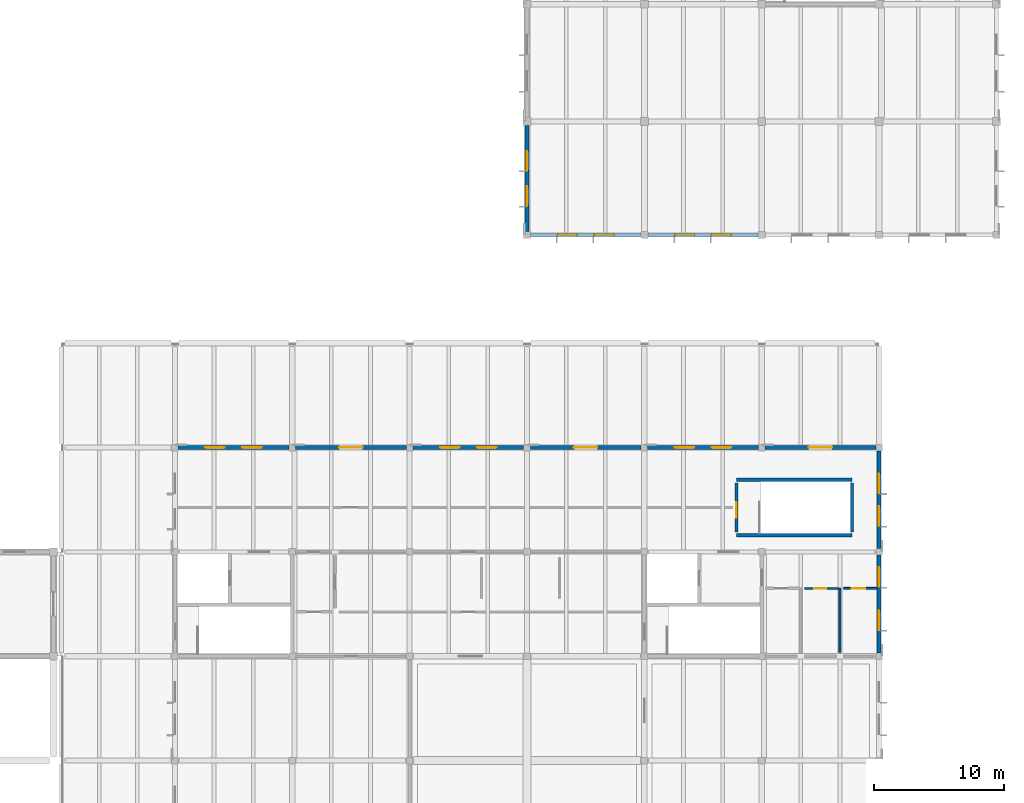
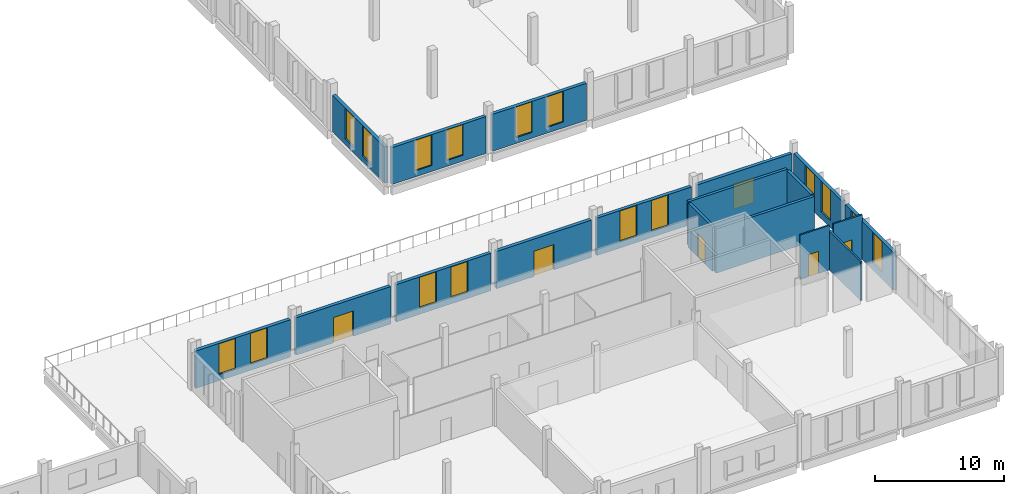
# One storey, part 14 of 25: 18 walls, 16 windows, 6 doors, 22 openings.
"""IFC4 building model written with IfcOpenShell, lengths in metres."""

from ifc_helpers import new_model, si_unit, direction, frame, frame_2d, origin, place, context, subcontext, project, spatial, rectangle, extrude, material, layer, layer_set, type_object, element, fill, save


model = new_model("IFC4")

# Units and contexts
model_context = context("Model", 3, precision=1e-05, world=origin(), true_north=direction((0.0, 1.0)))
body_context = subcontext(model_context, "Body", "Model", "MODEL_VIEW")
ifc_project = project(units=[si_unit("LENGTHUNIT", "METRE"), si_unit("AREAUNIT", "SQUARE_METRE"), si_unit("VOLUMEUNIT", "CUBIC_METRE"), si_unit("PLANEANGLEUNIT", "RADIAN"), si_unit("MASSUNIT", "GRAM", prefix="KILO")], contexts=[model_context])

# Site, building, storey
site_placement = place(None, origin())
site = spatial("IfcSite", under=ifc_project, at=site_placement, CompositionType="ELEMENT")
building_placement = place(site_placement, origin())
building = spatial("IfcBuilding", under=site, at=building_placement, Name="Zacnel Wholesale Market", CompositionType="ELEMENT")
storey_placement = place(building_placement, frame((0.0, 0.0, 15.75)))
storey = spatial("IfcBuildingStorey", under=building, at=storey_placement, Name="L04", CompositionType="ELEMENT", Elevation=15.75)

# Walls
ifc_material_1 = material(Name="Concrete C40/50", Category="concrete")
ifc_layer_1 = layer(ifc_material_1, 0.25)
ifc_layer_set_1 = layer_set([ifc_layer_1], Name="Concrete C40/50")
wall_type_1 = type_object("IfcWallType", Name="WL-CORE-SW250", PredefinedType="SOLIDWALL", material=ifc_layer_set_1)
for number, where, z_axis, x_axis, name in (
    (1, (196.074951171875, 25.27490234375, 0.0), (0.0, 0.0, 1.0), (1.0, 0.0, 0.0), "Stair ST-26 south enclosure wall L04"),
    (2, (196.074951171875, 29.52490234375, 0.0), (0.0, 0.0, 1.0), (1.0, 0.0, 0.0), "Stair ST-26 north enclosure wall L04"),
):
    element("IfcWall", number, at=place(storey_placement, frame(where, z_axis=z_axis, x_axis=x_axis)), inside=storey, type_object=wall_type_1, Name=name, PredefinedType="SOLIDWALL", context=body_context, shape_type="SweptSolid", body=[
        extrude(rectangle(XDim=8.85009765625, YDim=0.25, at=frame_2d((4.425048828125, 0.0))), origin(), (0.0, 0.0, 1.0), 4.199951171875),
    ])

# Wall, opening, door
wall_1_placement = place(storey_placement, frame((196.074951171875, 25.52490234375, 0.0), z_axis=(0.0, 0.0, 1.0), x_axis=(0.0, 1.0, 0.0)))
wall_1 = element("IfcWall", 3, at=wall_1_placement, inside=storey, type_object=wall_type_1, Name="Stair ST-26 west enclosure wall L04", PredefinedType="SOLIDWALL", context=body_context, shape_type="SweptSolid", body=[
    extrude(rectangle(XDim=3.75, YDim=0.25, at=frame_2d((1.875, 0.0))), origin(), (0.0, 0.0, 1.0), 4.199951171875),
])
opening_1_placement = place(wall_1_placement, frame((1.10009765625, 0.0, 0.0)))
opening_1 = element("IfcOpeningElement", 4, at=opening_1_placement, cuts=wall_1, Name="Opening FD-01", PredefinedType="OPENING", context=body_context, shape_type="SweptSolid", body=[
    extrude(rectangle(XDim=1.199951171875, YDim=2.199951171875, at=frame_2d((0.60009765625, 1.10009765625))), frame((0.0, 0.135009765625, 0.0), z_axis=(0.0, -1.0, 0.0), x_axis=(1.0, 0.0, 0.0)), (0.0, 0.0, 1.0), 0.27001953125),
])
ifc_material_2 = material(Name="Galvanized steel", Category="steel")
door_type_1 = type_object("IfcDoorType", Name="DR-FIRE-STAIR-1200", OperationType="NOTDEFINED", PredefinedType="DOOR", material=ifc_material_2)
door_1_placement = place(opening_1_placement, origin())
door_1 = element("IfcDoor", 5, at=door_1_placement, inside=storey, type_object=door_type_1, Name="Stair ST-26 fire door L04", OperationType="SINGLE_SWING_LEFT", OverallHeight=2.199951171875, OverallWidth=1.199951171875, PredefinedType="DOOR", context=body_context, shape_type="SweptSolid", body=[
    extrude(rectangle(XDim=1.199951171875, YDim=2.199951171875, at=frame_2d((0.60009765625, 1.10009765625))), frame((0.0, 0.02490234375, 0.0), z_axis=(0.0, -1.0, 0.0), x_axis=(1.0, 0.0, 0.0)), (0.0, 0.0, 1.0), 0.050048828125),
])
fill(opening_1, door_1)

# Wall
wall_2_placement = place(storey_placement, frame((204.925048828125, 25.52490234375, 0.0), z_axis=(0.0, 0.0, 1.0), x_axis=(0.0, 1.0, 0.0)))
element("IfcWall", 6, at=wall_2_placement, inside=storey, type_object=wall_type_1, Name="Stair ST-26 east enclosure wall L04", PredefinedType="SOLIDWALL", context=body_context, shape_type="SweptSolid", body=[
    extrude(rectangle(XDim=3.75, YDim=0.25, at=frame_2d((1.875, 0.0))), origin(), (0.0, 0.0, 1.0), 4.199951171875),
])

# Wall, openings, windows
ifc_material_3 = material(Name="Precast concrete C40/50 (Cancun limestone aggregate)", Category="masonry")
ifc_layer_2 = layer(ifc_material_3, 0.300048828125)
ifc_layer_set_2 = layer_set([ifc_layer_2], Name="Precast concrete C40/50 (Cancun limestone aggregate)")
wall_type_2 = type_object("IfcWallType", Name="WL-EXT-LIME-300", PredefinedType="SOLIDWALL", material=ifc_layer_set_2)
wall_3_placement = place(storey_placement, frame((153.25, 32.0, 0.0), z_axis=(0.0, 0.0, 1.0), x_axis=(1.0, 0.0, 0.0)))
wall_3 = element("IfcWall", 7, at=wall_3_placement, inside=storey, type_object=wall_type_2, Name="Exterior wall L04-0487", PredefinedType="SOLIDWALL", context=body_context, shape_type="SweptSolid", body=[
    extrude(rectangle(XDim=8.5, YDim=0.300048828125, at=frame_2d((4.25, 0.0))), origin(), (0.0, 0.0, 1.0), 3.550048828125),
])
opening_2_placement = place(wall_3_placement, frame((2.0830078125, 0.0, 0.610107421875)))
opening_2 = element("IfcOpeningElement", 8, at=opening_2_placement, cuts=wall_3, Name="Opening W-04", PredefinedType="OPENING", context=body_context, shape_type="SweptSolid", body=[
    extrude(rectangle(XDim=1.5, YDim=2.89990234375, at=frame_2d((0.75, 1.449951171875))), frame((0.0, 0.159912109375, 0.0), z_axis=(0.0, -1.0, 0.0), x_axis=(1.0, 0.0, 0.0)), (0.0, 0.0, 1.0), 0.320068359375),
])
opening_3_placement = place(wall_3_placement, frame((4.9169921875, 0.0, 0.610107421875)))
opening_3 = element("IfcOpeningElement", 9, at=opening_3_placement, cuts=wall_3, Name="Opening W-04", PredefinedType="OPENING", context=body_context, shape_type="SweptSolid", body=[
    extrude(rectangle(XDim=1.5, YDim=2.89990234375, at=frame_2d((0.75, 1.449951171875))), frame((0.0, 0.159912109375, 0.0), z_axis=(0.0, -1.0, 0.0), x_axis=(1.0, 0.0, 0.0)), (0.0, 0.0, 1.0), 0.320068359375),
])
ifc_material_4 = material(Name="Laminated hurricane-impact low-E insulated glass", Category="glass")
window_type = type_object("IfcWindowType", Name="WIN-DEC-1500X2900", PartitioningType="DOUBLE_PANEL_VERTICAL", PredefinedType="WINDOW", material=ifc_material_4)
window_1_placement = place(opening_2_placement, origin())
window_1 = element("IfcWindow", 10, at=window_1_placement, inside=storey, type_object=window_type, Name="Window L04-0520", OverallHeight=2.89990234375, OverallWidth=1.5, PartitioningType="DOUBLE_PANEL_VERTICAL", PredefinedType="WINDOW", context=body_context, shape_type="SweptSolid", body=[
    extrude(rectangle(XDim=1.5, YDim=2.89990234375, at=frame_2d((0.75, 1.449951171875))), frame((0.0, 0.030029296875, 0.0), z_axis=(0.0, -1.0, 0.0), x_axis=(1.0, 0.0, 0.0)), (0.0, 0.0, 1.0), 0.06005859375),
])
fill(opening_2, window_1)
window_2_placement = place(opening_3_placement, origin())
window_2 = element("IfcWindow", 11, at=window_2_placement, inside=storey, type_object=window_type, Name="Window L04-0521", OverallHeight=2.89990234375, OverallWidth=1.5, PartitioningType="DOUBLE_PANEL_VERTICAL", PredefinedType="WINDOW", context=body_context, shape_type="SweptSolid", body=[
    extrude(rectangle(XDim=1.5, YDim=2.89990234375, at=frame_2d((0.75, 1.449951171875))), frame((0.0, 0.030029296875, 0.0), z_axis=(0.0, -1.0, 0.0), x_axis=(1.0, 0.0, 0.0)), (0.0, 0.0, 1.0), 0.06005859375),
])
fill(opening_3, window_2)

# Wall, opening, door
wall_4_placement = place(storey_placement, frame((162.25, 32.0, 0.0), z_axis=(0.0, 0.0, 1.0), x_axis=(1.0, 0.0, 0.0)))
wall_4 = element("IfcWall", 12, at=wall_4_placement, inside=storey, type_object=wall_type_2, Name="Exterior wall L04-0488", PredefinedType="SOLIDWALL", context=body_context, shape_type="SweptSolid", body=[
    extrude(rectangle(XDim=8.5, YDim=0.300048828125, at=frame_2d((4.25, 0.0))), origin(), (0.0, 0.0, 1.0), 3.550048828125),
])
opening_4_placement = place(wall_4_placement, frame((3.35009765625, 0.0, 0.0)))
opening_4 = element("IfcOpeningElement", 13, at=opening_4_placement, cuts=wall_4, Name="Opening ED-03", PredefinedType="OPENING", context=body_context, shape_type="SweptSolid", body=[
    extrude(rectangle(XDim=1.800048828125, YDim=2.39990234375, at=frame_2d((0.89990234375, 1.199951171875))), frame((0.0, 0.159912109375, 0.0), z_axis=(0.0, -1.0, 0.0), x_axis=(1.0, 0.0, 0.0)), (0.0, 0.0, 1.0), 0.320068359375),
])
ifc_material_5 = material(Name="Anodised aluminium", Category="aluminium")
door_type_2 = type_object("IfcDoorType", Name="DR-EXT-TERR-1800", OperationType="NOTDEFINED", PredefinedType="DOOR", material=ifc_material_5)
door_2_placement = place(opening_4_placement, origin())
door_2 = element("IfcDoor", 14, at=door_2_placement, inside=storey, type_object=door_type_2, Name="Terrace access door L04-060", OperationType="DOUBLE_DOOR_SINGLE_SWING", OverallHeight=2.39990234375, OverallWidth=1.800048828125, PredefinedType="DOOR", context=body_context, shape_type="SweptSolid", body=[
    extrude(rectangle(XDim=1.800048828125, YDim=2.39990234375, at=frame_2d((0.89990234375, 1.199951171875))), frame((0.0, 0.02490234375, 0.0), z_axis=(0.0, -1.0, 0.0), x_axis=(1.0, 0.0, 0.0)), (0.0, 0.0, 1.0), 0.050048828125),
])
fill(opening_4, door_2)

# Wall, openings, windows
wall_5_placement = place(storey_placement, frame((171.25, 32.0, 0.0), z_axis=(0.0, 0.0, 1.0), x_axis=(1.0, 0.0, 0.0)))
wall_5 = element("IfcWall", 15, at=wall_5_placement, inside=storey, type_object=wall_type_2, Name="Exterior wall L04-0489", PredefinedType="SOLIDWALL", context=body_context, shape_type="SweptSolid", body=[
    extrude(rectangle(XDim=8.5, YDim=0.300048828125, at=frame_2d((4.25, 0.0))), origin(), (0.0, 0.0, 1.0), 3.550048828125),
])
opening_5_placement = place(wall_5_placement, frame((2.0830078125, 0.0, 0.610107421875)))
opening_5 = element("IfcOpeningElement", 16, at=opening_5_placement, cuts=wall_5, Name="Opening W-04", PredefinedType="OPENING", context=body_context, shape_type="SweptSolid", body=[
    extrude(rectangle(XDim=1.5, YDim=2.89990234375, at=frame_2d((0.75, 1.449951171875))), frame((0.0, 0.159912109375, 0.0), z_axis=(0.0, -1.0, 0.0), x_axis=(1.0, 0.0, 0.0)), (0.0, 0.0, 1.0), 0.320068359375),
])
opening_6_placement = place(wall_5_placement, frame((4.9169921875, 0.0, 0.610107421875)))
opening_6 = element("IfcOpeningElement", 17, at=opening_6_placement, cuts=wall_5, Name="Opening W-04", PredefinedType="OPENING", context=body_context, shape_type="SweptSolid", body=[
    extrude(rectangle(XDim=1.5, YDim=2.89990234375, at=frame_2d((0.75, 1.449951171875))), frame((0.0, 0.159912109375, 0.0), z_axis=(0.0, -1.0, 0.0), x_axis=(1.0, 0.0, 0.0)), (0.0, 0.0, 1.0), 0.320068359375),
])
window_3_placement = place(opening_5_placement, origin())
window_3 = element("IfcWindow", 18, at=window_3_placement, inside=storey, type_object=window_type, Name="Window L04-0522", OverallHeight=2.89990234375, OverallWidth=1.5, PartitioningType="DOUBLE_PANEL_VERTICAL", PredefinedType="WINDOW", context=body_context, shape_type="SweptSolid", body=[
    extrude(rectangle(XDim=1.5, YDim=2.89990234375, at=frame_2d((0.75, 1.449951171875))), frame((0.0, 0.030029296875, 0.0), z_axis=(0.0, -1.0, 0.0), x_axis=(1.0, 0.0, 0.0)), (0.0, 0.0, 1.0), 0.06005859375),
])
fill(opening_5, window_3)
window_4_placement = place(opening_6_placement, origin())
window_4 = element("IfcWindow", 19, at=window_4_placement, inside=storey, type_object=window_type, Name="Window L04-0523", OverallHeight=2.89990234375, OverallWidth=1.5, PartitioningType="DOUBLE_PANEL_VERTICAL", PredefinedType="WINDOW", context=body_context, shape_type="SweptSolid", body=[
    extrude(rectangle(XDim=1.5, YDim=2.89990234375, at=frame_2d((0.75, 1.449951171875))), frame((0.0, 0.030029296875, 0.0), z_axis=(0.0, -1.0, 0.0), x_axis=(1.0, 0.0, 0.0)), (0.0, 0.0, 1.0), 0.06005859375),
])
fill(opening_6, window_4)

# Wall, opening, door
wall_6_placement = place(storey_placement, frame((180.25, 32.0, 0.0), z_axis=(0.0, 0.0, 1.0), x_axis=(1.0, 0.0, 0.0)))
wall_6 = element("IfcWall", 20, at=wall_6_placement, inside=storey, type_object=wall_type_2, Name="Exterior wall L04-0490", PredefinedType="SOLIDWALL", context=body_context, shape_type="SweptSolid", body=[
    extrude(rectangle(XDim=8.5, YDim=0.300048828125, at=frame_2d((4.25, 0.0))), origin(), (0.0, 0.0, 1.0), 3.550048828125),
])
opening_7_placement = place(wall_6_placement, frame((3.35009765625, 0.0, 0.0)))
opening_7 = element("IfcOpeningElement", 21, at=opening_7_placement, cuts=wall_6, Name="Opening ED-03", PredefinedType="OPENING", context=body_context, shape_type="SweptSolid", body=[
    extrude(rectangle(XDim=1.800048828125, YDim=2.39990234375, at=frame_2d((0.89990234375, 1.199951171875))), frame((0.0, 0.159912109375, 0.0), z_axis=(0.0, -1.0, 0.0), x_axis=(1.0, 0.0, 0.0)), (0.0, 0.0, 1.0), 0.320068359375),
])
door_3_placement = place(opening_7_placement, origin())
door_3 = element("IfcDoor", 22, at=door_3_placement, inside=storey, type_object=door_type_2, Name="Terrace access door L04-061", OperationType="DOUBLE_DOOR_SINGLE_SWING", OverallHeight=2.39990234375, OverallWidth=1.800048828125, PredefinedType="DOOR", context=body_context, shape_type="SweptSolid", body=[
    extrude(rectangle(XDim=1.800048828125, YDim=2.39990234375, at=frame_2d((0.89990234375, 1.199951171875))), frame((0.0, 0.02490234375, 0.0), z_axis=(0.0, -1.0, 0.0), x_axis=(1.0, 0.0, 0.0)), (0.0, 0.0, 1.0), 0.050048828125),
])
fill(opening_7, door_3)

# Wall, openings, windows
wall_7_placement = place(storey_placement, frame((189.25, 32.0, 0.0), z_axis=(0.0, 0.0, 1.0), x_axis=(1.0, 0.0, 0.0)))
wall_7 = element("IfcWall", 23, at=wall_7_placement, inside=storey, type_object=wall_type_2, Name="Exterior wall L04-0491", PredefinedType="SOLIDWALL", context=body_context, shape_type="SweptSolid", body=[
    extrude(rectangle(XDim=8.5, YDim=0.300048828125, at=frame_2d((4.25, 0.0))), origin(), (0.0, 0.0, 1.0), 3.550048828125),
])
opening_8_placement = place(wall_7_placement, frame((2.0830078125, 0.0, 0.610107421875)))
opening_8 = element("IfcOpeningElement", 24, at=opening_8_placement, cuts=wall_7, Name="Opening W-04", PredefinedType="OPENING", context=body_context, shape_type="SweptSolid", body=[
    extrude(rectangle(XDim=1.5, YDim=2.89990234375, at=frame_2d((0.75, 1.449951171875))), frame((0.0, 0.159912109375, 0.0), z_axis=(0.0, -1.0, 0.0), x_axis=(1.0, 0.0, 0.0)), (0.0, 0.0, 1.0), 0.320068359375),
])
opening_9_placement = place(wall_7_placement, frame((4.9169921875, 0.0, 0.610107421875)))
opening_9 = element("IfcOpeningElement", 25, at=opening_9_placement, cuts=wall_7, Name="Opening W-04", PredefinedType="OPENING", context=body_context, shape_type="SweptSolid", body=[
    extrude(rectangle(XDim=1.5, YDim=2.89990234375, at=frame_2d((0.75, 1.449951171875))), frame((0.0, 0.159912109375, 0.0), z_axis=(0.0, -1.0, 0.0), x_axis=(1.0, 0.0, 0.0)), (0.0, 0.0, 1.0), 0.320068359375),
])
window_5_placement = place(opening_8_placement, origin())
window_5 = element("IfcWindow", 26, at=window_5_placement, inside=storey, type_object=window_type, Name="Window L04-0524", OverallHeight=2.89990234375, OverallWidth=1.5, PartitioningType="DOUBLE_PANEL_VERTICAL", PredefinedType="WINDOW", context=body_context, shape_type="SweptSolid", body=[
    extrude(rectangle(XDim=1.5, YDim=2.89990234375, at=frame_2d((0.75, 1.449951171875))), frame((0.0, 0.030029296875, 0.0), z_axis=(0.0, -1.0, 0.0), x_axis=(1.0, 0.0, 0.0)), (0.0, 0.0, 1.0), 0.06005859375),
])
fill(opening_8, window_5)
window_6_placement = place(opening_9_placement, origin())
window_6 = element("IfcWindow", 27, at=window_6_placement, inside=storey, type_object=window_type, Name="Window L04-0525", OverallHeight=2.89990234375, OverallWidth=1.5, PartitioningType="DOUBLE_PANEL_VERTICAL", PredefinedType="WINDOW", context=body_context, shape_type="SweptSolid", body=[
    extrude(rectangle(XDim=1.5, YDim=2.89990234375, at=frame_2d((0.75, 1.449951171875))), frame((0.0, 0.030029296875, 0.0), z_axis=(0.0, -1.0, 0.0), x_axis=(1.0, 0.0, 0.0)), (0.0, 0.0, 1.0), 0.06005859375),
])
fill(opening_9, window_6)

# Wall, opening, door
wall_8_placement = place(storey_placement, frame((198.25, 32.0, 0.0), z_axis=(0.0, 0.0, 1.0), x_axis=(1.0, 0.0, 0.0)))
wall_8 = element("IfcWall", 28, at=wall_8_placement, inside=storey, type_object=wall_type_2, Name="Exterior wall L04-0492", PredefinedType="SOLIDWALL", context=body_context, shape_type="SweptSolid", body=[
    extrude(rectangle(XDim=8.5, YDim=0.300048828125, at=frame_2d((4.25, 0.0))), origin(), (0.0, 0.0, 1.0), 3.550048828125),
])
opening_10_placement = place(wall_8_placement, frame((3.35009765625, 0.0, 0.0)))
opening_10 = element("IfcOpeningElement", 29, at=opening_10_placement, cuts=wall_8, Name="Opening ED-03", PredefinedType="OPENING", context=body_context, shape_type="SweptSolid", body=[
    extrude(rectangle(XDim=1.800048828125, YDim=2.39990234375, at=frame_2d((0.89990234375, 1.199951171875))), frame((0.0, 0.159912109375, 0.0), z_axis=(0.0, -1.0, 0.0), x_axis=(1.0, 0.0, 0.0)), (0.0, 0.0, 1.0), 0.320068359375),
])
door_4_placement = place(opening_10_placement, origin())
door_4 = element("IfcDoor", 30, at=door_4_placement, inside=storey, type_object=door_type_2, Name="Terrace access door L04-062", OperationType="DOUBLE_DOOR_SINGLE_SWING", OverallHeight=2.39990234375, OverallWidth=1.800048828125, PredefinedType="DOOR", context=body_context, shape_type="SweptSolid", body=[
    extrude(rectangle(XDim=1.800048828125, YDim=2.39990234375, at=frame_2d((0.89990234375, 1.199951171875))), frame((0.0, 0.02490234375, 0.0), z_axis=(0.0, -1.0, 0.0), x_axis=(1.0, 0.0, 0.0)), (0.0, 0.0, 1.0), 0.050048828125),
])
fill(opening_10, door_4)

# Wall, openings, windows
wall_9_placement = place(storey_placement, frame((207.0, 16.25, 0.0), z_axis=(0.0, 0.0, 1.0), x_axis=(0.0, 1.0, 0.0)))
wall_9 = element("IfcWall", 31, at=wall_9_placement, inside=storey, type_object=wall_type_2, Name="Exterior wall L04-0498", PredefinedType="SOLIDWALL", context=body_context, shape_type="SweptSolid", body=[
    extrude(rectangle(XDim=7.5, YDim=0.300048828125, at=frame_2d((3.75, 0.0))), origin(), (0.0, 0.0, 1.0), 3.60009765625),
])
opening_11_placement = place(wall_9_placement, frame((1.75, 0.0, 0.659912109375)))
opening_11 = element("IfcOpeningElement", 32, at=opening_11_placement, cuts=wall_9, Name="Opening W-04", PredefinedType="OPENING", context=body_context, shape_type="SweptSolid", body=[
    extrude(rectangle(XDim=1.5, YDim=2.89990234375, at=frame_2d((0.75, 1.449951171875))), frame((0.0, 0.159912109375, 0.0), z_axis=(0.0, -1.0, 0.0), x_axis=(1.0, 0.0, 0.0)), (0.0, 0.0, 1.0), 0.320068359375),
])
opening_12_placement = place(wall_9_placement, frame((5.074951171875, 0.0, 0.659912109375)))
opening_12 = element("IfcOpeningElement", 33, at=opening_12_placement, cuts=wall_9, Name="Opening W-04", PredefinedType="OPENING", context=body_context, shape_type="SweptSolid", body=[
    extrude(rectangle(XDim=1.5, YDim=2.89990234375, at=frame_2d((0.75, 1.449951171875))), frame((0.0, 0.159912109375, 0.0), z_axis=(0.0, -1.0, 0.0), x_axis=(1.0, 0.0, 0.0)), (0.0, 0.0, 1.0), 0.320068359375),
])
window_7_placement = place(opening_11_placement, origin())
window_7 = element("IfcWindow", 34, at=window_7_placement, inside=storey, type_object=window_type, Name="Window L04-0536", OverallHeight=2.89990234375, OverallWidth=1.5, PartitioningType="DOUBLE_PANEL_VERTICAL", PredefinedType="WINDOW", context=body_context, shape_type="SweptSolid", body=[
    extrude(rectangle(XDim=1.5, YDim=2.89990234375, at=frame_2d((0.75, 1.449951171875))), frame((0.0, 0.030029296875, 0.0), z_axis=(0.0, -1.0, 0.0), x_axis=(1.0, 0.0, 0.0)), (0.0, 0.0, 1.0), 0.06005859375),
])
fill(opening_11, window_7)
window_8_placement = place(opening_12_placement, origin())
window_8 = element("IfcWindow", 35, at=window_8_placement, inside=storey, type_object=window_type, Name="Window L04-0537", OverallHeight=2.89990234375, OverallWidth=1.5, PartitioningType="DOUBLE_PANEL_VERTICAL", PredefinedType="WINDOW", context=body_context, shape_type="SweptSolid", body=[
    extrude(rectangle(XDim=1.5, YDim=2.89990234375, at=frame_2d((0.75, 1.449951171875))), frame((0.0, 0.030029296875, 0.0), z_axis=(0.0, -1.0, 0.0), x_axis=(1.0, 0.0, 0.0)), (0.0, 0.0, 1.0), 0.06005859375),
])
fill(opening_12, window_8)

wall_10_placement = place(storey_placement, frame((207.0, 24.25, 0.0), z_axis=(0.0, 0.0, 1.0), x_axis=(0.0, 1.0, 0.0)))
wall_10 = element("IfcWall", 36, at=wall_10_placement, inside=storey, type_object=wall_type_2, Name="Exterior wall L04-0499", PredefinedType="SOLIDWALL", context=body_context, shape_type="SweptSolid", body=[
    extrude(rectangle(XDim=7.5, YDim=0.300048828125, at=frame_2d((3.75, 0.0))), origin(), (0.0, 0.0, 1.0), 3.60009765625),
])
opening_13_placement = place(wall_10_placement, frame((1.75, 0.0, 0.659912109375)))
opening_13 = element("IfcOpeningElement", 37, at=opening_13_placement, cuts=wall_10, Name="Opening W-04", PredefinedType="OPENING", context=body_context, shape_type="SweptSolid", body=[
    extrude(rectangle(XDim=1.5, YDim=2.89990234375, at=frame_2d((0.75, 1.449951171875))), frame((0.0, 0.159912109375, 0.0), z_axis=(0.0, -1.0, 0.0), x_axis=(1.0, 0.0, 0.0)), (0.0, 0.0, 1.0), 0.320068359375),
])
opening_14_placement = place(wall_10_placement, frame((4.25, 0.0, 0.659912109375)))
opening_14 = element("IfcOpeningElement", 38, at=opening_14_placement, cuts=wall_10, Name="Opening W-04", PredefinedType="OPENING", context=body_context, shape_type="SweptSolid", body=[
    extrude(rectangle(XDim=1.5, YDim=2.89990234375, at=frame_2d((0.75, 1.449951171875))), frame((0.0, 0.159912109375, 0.0), z_axis=(0.0, -1.0, 0.0), x_axis=(1.0, 0.0, 0.0)), (0.0, 0.0, 1.0), 0.320068359375),
])
window_9_placement = place(opening_13_placement, origin())
window_9 = element("IfcWindow", 39, at=window_9_placement, inside=storey, type_object=window_type, Name="Window L04-0538", OverallHeight=2.89990234375, OverallWidth=1.5, PartitioningType="DOUBLE_PANEL_VERTICAL", PredefinedType="WINDOW", context=body_context, shape_type="SweptSolid", body=[
    extrude(rectangle(XDim=1.5, YDim=2.89990234375, at=frame_2d((0.75, 1.449951171875))), frame((0.0, 0.030029296875, 0.0), z_axis=(0.0, -1.0, 0.0), x_axis=(1.0, 0.0, 0.0)), (0.0, 0.0, 1.0), 0.06005859375),
])
fill(opening_13, window_9)
window_10_placement = place(opening_14_placement, origin())
window_10 = element("IfcWindow", 40, at=window_10_placement, inside=storey, type_object=window_type, Name="Window L04-0539", OverallHeight=2.89990234375, OverallWidth=1.5, PartitioningType="DOUBLE_PANEL_VERTICAL", PredefinedType="WINDOW", context=body_context, shape_type="SweptSolid", body=[
    extrude(rectangle(XDim=1.5, YDim=2.89990234375, at=frame_2d((0.75, 1.449951171875))), frame((0.0, 0.030029296875, 0.0), z_axis=(0.0, -1.0, 0.0), x_axis=(1.0, 0.0, 0.0)), (0.0, 0.0, 1.0), 0.06005859375),
])
fill(opening_14, window_10)

wall_11_placement = place(storey_placement, frame((180.27490234375, 48.300048828125, 0.0), z_axis=(0.0, 0.0, 1.0), x_axis=(1.0, 0.0, 0.0)))
wall_11 = element("IfcWall", 41, at=wall_11_placement, inside=storey, type_object=wall_type_2, Name="Exterior wall L04-0500", PredefinedType="SOLIDWALL", context=body_context, shape_type="SweptSolid", body=[
    extrude(rectangle(XDim=8.4501953125, YDim=0.300048828125, at=frame_2d((4.22509765625, 0.0))), origin(), (0.0, 0.0, 1.0), 3.5),
])
opening_15_placement = place(wall_11_placement, frame((2.06689453125, 0.0, 0.56005859375)))
opening_15 = element("IfcOpeningElement", 42, at=opening_15_placement, cuts=wall_11, Name="Opening W-04", PredefinedType="OPENING", context=body_context, shape_type="SweptSolid", body=[
    extrude(rectangle(XDim=1.5, YDim=2.89990234375, at=frame_2d((0.75, 1.449951171875))), frame((0.0, 0.159912109375, 0.0), z_axis=(0.0, -1.0, 0.0), x_axis=(1.0, 0.0, 0.0)), (0.0, 0.0, 1.0), 0.320068359375),
])
opening_16_placement = place(wall_11_placement, frame((4.883056640625, 0.0, 0.56005859375)))
opening_16 = element("IfcOpeningElement", 43, at=opening_16_placement, cuts=wall_11, Name="Opening W-04", PredefinedType="OPENING", context=body_context, shape_type="SweptSolid", body=[
    extrude(rectangle(XDim=1.5, YDim=2.89990234375, at=frame_2d((0.75, 1.449951171875))), frame((0.0, 0.159912109375, 0.0), z_axis=(0.0, -1.0, 0.0), x_axis=(1.0, 0.0, 0.0)), (0.0, 0.0, 1.0), 0.320068359375),
])
window_11_placement = place(opening_15_placement, origin())
window_11 = element("IfcWindow", 44, at=window_11_placement, inside=storey, type_object=window_type, Name="Window L04-0540", OverallHeight=2.89990234375, OverallWidth=1.5, PartitioningType="DOUBLE_PANEL_VERTICAL", PredefinedType="WINDOW", context=body_context, shape_type="SweptSolid", body=[
    extrude(rectangle(XDim=1.5, YDim=2.89990234375, at=frame_2d((0.75, 1.449951171875))), frame((0.0, 0.030029296875, 0.0), z_axis=(0.0, -1.0, 0.0), x_axis=(1.0, 0.0, 0.0)), (0.0, 0.0, 1.0), 0.06005859375),
])
fill(opening_15, window_11)
window_12_placement = place(opening_16_placement, origin())
window_12 = element("IfcWindow", 45, at=window_12_placement, inside=storey, type_object=window_type, Name="Window L04-0541", OverallHeight=2.89990234375, OverallWidth=1.5, PartitioningType="DOUBLE_PANEL_VERTICAL", PredefinedType="WINDOW", context=body_context, shape_type="SweptSolid", body=[
    extrude(rectangle(XDim=1.5, YDim=2.89990234375, at=frame_2d((0.75, 1.449951171875))), frame((0.0, 0.030029296875, 0.0), z_axis=(0.0, -1.0, 0.0), x_axis=(1.0, 0.0, 0.0)), (0.0, 0.0, 1.0), 0.06005859375),
])
fill(opening_16, window_12)

wall_12_placement = place(storey_placement, frame((189.27490234375, 48.300048828125, 0.0), z_axis=(0.0, 0.0, 1.0), x_axis=(1.0, 0.0, 0.0)))
wall_12 = element("IfcWall", 46, at=wall_12_placement, inside=storey, type_object=wall_type_2, Name="Exterior wall L04-0501", PredefinedType="SOLIDWALL", context=body_context, shape_type="SweptSolid", body=[
    extrude(rectangle(XDim=8.4501953125, YDim=0.300048828125, at=frame_2d((4.22509765625, 0.0))), origin(), (0.0, 0.0, 1.0), 3.5),
])
opening_17_placement = place(wall_12_placement, frame((2.06689453125, 0.0, 0.56005859375)))
opening_17 = element("IfcOpeningElement", 47, at=opening_17_placement, cuts=wall_12, Name="Opening W-04", PredefinedType="OPENING", context=body_context, shape_type="SweptSolid", body=[
    extrude(rectangle(XDim=1.5, YDim=2.89990234375, at=frame_2d((0.75, 1.449951171875))), frame((0.0, 0.159912109375, 0.0), z_axis=(0.0, -1.0, 0.0), x_axis=(1.0, 0.0, 0.0)), (0.0, 0.0, 1.0), 0.320068359375),
])
opening_18_placement = place(wall_12_placement, frame((4.883056640625, 0.0, 0.56005859375)))
opening_18 = element("IfcOpeningElement", 48, at=opening_18_placement, cuts=wall_12, Name="Opening W-04", PredefinedType="OPENING", context=body_context, shape_type="SweptSolid", body=[
    extrude(rectangle(XDim=1.5, YDim=2.89990234375, at=frame_2d((0.75, 1.449951171875))), frame((0.0, 0.159912109375, 0.0), z_axis=(0.0, -1.0, 0.0), x_axis=(1.0, 0.0, 0.0)), (0.0, 0.0, 1.0), 0.320068359375),
])
window_13_placement = place(opening_17_placement, origin())
window_13 = element("IfcWindow", 49, at=window_13_placement, inside=storey, type_object=window_type, Name="Window L04-0542", OverallHeight=2.89990234375, OverallWidth=1.5, PartitioningType="DOUBLE_PANEL_VERTICAL", PredefinedType="WINDOW", context=body_context, shape_type="SweptSolid", body=[
    extrude(rectangle(XDim=1.5, YDim=2.89990234375, at=frame_2d((0.75, 1.449951171875))), frame((0.0, 0.030029296875, 0.0), z_axis=(0.0, -1.0, 0.0), x_axis=(1.0, 0.0, 0.0)), (0.0, 0.0, 1.0), 0.06005859375),
])
fill(opening_17, window_13)
window_14_placement = place(opening_18_placement, origin())
window_14 = element("IfcWindow", 50, at=window_14_placement, inside=storey, type_object=window_type, Name="Window L04-0543", OverallHeight=2.89990234375, OverallWidth=1.5, PartitioningType="DOUBLE_PANEL_VERTICAL", PredefinedType="WINDOW", context=body_context, shape_type="SweptSolid", body=[
    extrude(rectangle(XDim=1.5, YDim=2.89990234375, at=frame_2d((0.75, 1.449951171875))), frame((0.0, 0.030029296875, 0.0), z_axis=(0.0, -1.0, 0.0), x_axis=(1.0, 0.0, 0.0)), (0.0, 0.0, 1.0), 0.06005859375),
])
fill(opening_18, window_14)

wall_13_placement = place(storey_placement, frame((180.0, 48.574951171875, 0.0), z_axis=(0.0, 0.0, 1.0), x_axis=(0.0, 1.0, 0.0)))
wall_13 = element("IfcWall", 51, at=wall_13_placement, inside=storey, type_object=wall_type_2, Name="Exterior wall L04-0508", PredefinedType="SOLIDWALL", context=body_context, shape_type="SweptSolid", body=[
    extrude(rectangle(XDim=8.125, YDim=0.300048828125, at=frame_2d((4.0625, 0.0))), origin(), (0.0, 0.0, 1.0), 3.449951171875),
])
opening_19_placement = place(wall_13_placement, frame((1.9580078125, 0.0, 0.510009765625)))
opening_19 = element("IfcOpeningElement", 52, at=opening_19_placement, cuts=wall_13, Name="Opening W-04", PredefinedType="OPENING", context=body_context, shape_type="SweptSolid", body=[
    extrude(rectangle(XDim=1.5, YDim=2.89990234375, at=frame_2d((0.75, 1.449951171875))), frame((0.0, 0.159912109375, 0.0), z_axis=(0.0, -1.0, 0.0), x_axis=(1.0, 0.0, 0.0)), (0.0, 0.0, 1.0), 0.320068359375),
])
opening_20_placement = place(wall_13_placement, frame((4.6669921875, 0.0, 0.510009765625)))
opening_20 = element("IfcOpeningElement", 53, at=opening_20_placement, cuts=wall_13, Name="Opening W-04", PredefinedType="OPENING", context=body_context, shape_type="SweptSolid", body=[
    extrude(rectangle(XDim=1.5, YDim=2.89990234375, at=frame_2d((0.75, 1.449951171875))), frame((0.0, 0.159912109375, 0.0), z_axis=(0.0, -1.0, 0.0), x_axis=(1.0, 0.0, 0.0)), (0.0, 0.0, 1.0), 0.320068359375),
])
window_15_placement = place(opening_19_placement, origin())
window_15 = element("IfcWindow", 54, at=window_15_placement, inside=storey, type_object=window_type, Name="Window L04-0556", OverallHeight=2.89990234375, OverallWidth=1.5, PartitioningType="DOUBLE_PANEL_VERTICAL", PredefinedType="WINDOW", context=body_context, shape_type="SweptSolid", body=[
    extrude(rectangle(XDim=1.5, YDim=2.89990234375, at=frame_2d((0.75, 1.449951171875))), frame((0.0, 0.030029296875, 0.0), z_axis=(0.0, -1.0, 0.0), x_axis=(1.0, 0.0, 0.0)), (0.0, 0.0, 1.0), 0.06005859375),
])
fill(opening_19, window_15)
window_16_placement = place(opening_20_placement, origin())
window_16 = element("IfcWindow", 55, at=window_16_placement, inside=storey, type_object=window_type, Name="Window L04-0557", OverallHeight=2.89990234375, OverallWidth=1.5, PartitioningType="DOUBLE_PANEL_VERTICAL", PredefinedType="WINDOW", context=body_context, shape_type="SweptSolid", body=[
    extrude(rectangle(XDim=1.5, YDim=2.89990234375, at=frame_2d((0.75, 1.449951171875))), frame((0.0, 0.030029296875, 0.0), z_axis=(0.0, -1.0, 0.0), x_axis=(1.0, 0.0, 0.0)), (0.0, 0.0, 1.0), 0.06005859375),
])
fill(opening_20, window_16)

# Wall, opening, door
ifc_material_6 = material(Name="Concrete blockwork masonry", Category="masonry")
ifc_layer_3 = layer(ifc_material_6, 0.135009765625)
ifc_layer_set_3 = layer_set([ifc_layer_3], Name="Concrete blockwork masonry")
wall_type_3 = type_object("IfcWallType", Name="WL-PART-MAS135", PredefinedType="PARTITIONING", material=ifc_layer_set_3)
wall_14_placement = place(storey_placement, frame((201.300048828125, 21.199951171875, 0.0), z_axis=(0.0, 0.0, 1.0), x_axis=(1.0, 0.0, 0.0)))
wall_14 = element("IfcWall", 56, at=wall_14_placement, inside=storey, type_object=wall_type_3, Name="Interior partition L04-0224", PredefinedType="PARTITIONING", context=body_context, shape_type="SweptSolid", body=[
    extrude(rectangle(XDim=2.625, YDim=0.135009765625, at=frame_2d((1.3125, 0.0))), origin(), (0.0, 0.0, 1.0), 4.22998046875),
])
opening_21_placement = place(wall_14_placement, frame((0.739990234375, 0.0, 0.0)))
opening_21 = element("IfcOpeningElement", 57, at=opening_21_placement, cuts=wall_14, Name="Opening ID-08", PredefinedType="OPENING", context=body_context, shape_type="SweptSolid", body=[
    extrude(rectangle(XDim=0.919921875, YDim=2.10009765625, at=frame_2d((0.4599609375, 1.050048828125))), frame((0.0, 0.077392578125, 0.0), z_axis=(0.0, -1.0, 0.0), x_axis=(1.0, 0.0, 0.0)), (0.0, 0.0, 1.0), 0.155029296875),
])
ifc_material_7 = material(Name="Solid-core tropical hardwood door", Category="wood")
door_type_3 = type_object("IfcDoorType", Name="DR-WC-STD-920", OperationType="NOTDEFINED", PredefinedType="DOOR", material=ifc_material_7)
door_5_placement = place(opening_21_placement, origin())
door_5 = element("IfcDoor", 58, at=door_5_placement, inside=storey, type_object=door_type_3, Name="Interior door L04-0173", OperationType="SINGLE_SWING_RIGHT", OverallHeight=2.10009765625, OverallWidth=0.919921875, PredefinedType="DOOR", context=body_context, shape_type="SweptSolid", body=[
    extrude(rectangle(XDim=0.919921875, YDim=2.10009765625, at=frame_2d((0.4599609375, 1.050048828125))), frame((0.0, 0.02490234375, 0.0), z_axis=(0.0, -1.0, 0.0), x_axis=(1.0, 0.0, 0.0)), (0.0, 0.0, 1.0), 0.050048828125),
])
fill(opening_21, door_5)

ifc_material_8 = material(Name="Concrete blockwork masonry", Category="masonry")
ifc_layer_4 = layer(ifc_material_8, 0.14990234375)
ifc_layer_set_4 = layer_set([ifc_layer_4], Name="Concrete blockwork masonry")
wall_type_4 = type_object("IfcWallType", Name="WL-PART-MAS150", PredefinedType="PARTITIONING", material=ifc_layer_set_4)
wall_15_placement = place(storey_placement, frame((204.300048828125, 21.199951171875, 0.0), z_axis=(0.0, 0.0, 1.0), x_axis=(1.0, 0.0, 0.0)))
wall_15 = element("IfcWall", 59, at=wall_15_placement, inside=storey, type_object=wall_type_4, Name="Interior partition L04-0225", PredefinedType="PARTITIONING", context=body_context, shape_type="SweptSolid", body=[
    extrude(rectangle(XDim=2.570068359375, YDim=0.14990234375, at=frame_2d((1.28515625, 0.0))), origin(), (0.0, 0.0, 1.0), 4.22998046875),
])
opening_22_placement = place(wall_15_placement, frame((0.60009765625, 0.0, 0.0)))
opening_22 = element("IfcOpeningElement", 60, at=opening_22_placement, cuts=wall_15, Name="Opening ID-07", PredefinedType="OPENING", context=body_context, shape_type="SweptSolid", body=[
    extrude(rectangle(XDim=1.050048828125, YDim=2.14990234375, at=frame_2d((0.52490234375, 1.074951171875))), frame((0.0, 0.0849609375, 0.0), z_axis=(0.0, -1.0, 0.0), x_axis=(1.0, 0.0, 0.0)), (0.0, 0.0, 1.0), 0.169921875),
])
ifc_material_9 = material(Name="Solid-core tropical hardwood door", Category="wood")
door_type_4 = type_object("IfcDoorType", Name="DR-WC-ACC-1050", OperationType="NOTDEFINED", PredefinedType="DOOR", material=ifc_material_9)
door_6_placement = place(opening_22_placement, origin())
door_6 = element("IfcDoor", 61, at=door_6_placement, inside=storey, type_object=door_type_4, Name="Interior door L04-0174", OperationType="SINGLE_SWING_LEFT", OverallHeight=2.14990234375, OverallWidth=1.050048828125, PredefinedType="DOOR", context=body_context, shape_type="SweptSolid", body=[
    extrude(rectangle(XDim=1.050048828125, YDim=2.14990234375, at=frame_2d((0.52490234375, 1.074951171875))), frame((0.0, 0.02490234375, 0.0), z_axis=(0.0, -1.0, 0.0), x_axis=(1.0, 0.0, 0.0)), (0.0, 0.0, 1.0), 0.050048828125),
])
fill(opening_22, door_6)

# Wall
wall_16_placement = place(storey_placement, frame((204.0, 16.300048828125, 0.0), z_axis=(0.0, 0.0, 1.0), x_axis=(0.0, 1.0, 0.0)))
element("IfcWall", 62, at=wall_16_placement, inside=storey, type_object=wall_type_4, Name="Interior partition L04-0227", PredefinedType="PARTITIONING", context=body_context, shape_type="SweptSolid", body=[
    extrude(rectangle(XDim=4.89990234375, YDim=0.14990234375, at=frame_2d((2.449951171875, 0.0))), origin(), (0.0, 0.0, 1.0), 3.699951171875),
])

save(model, "model.ifc")
